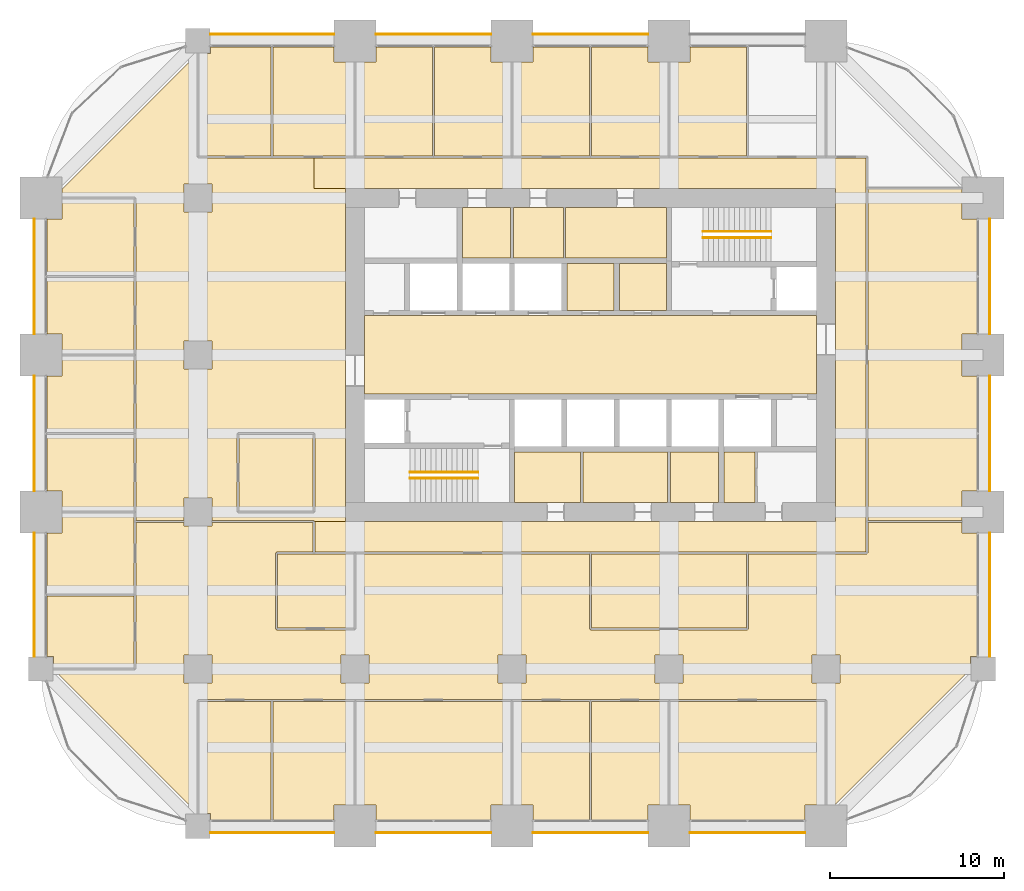
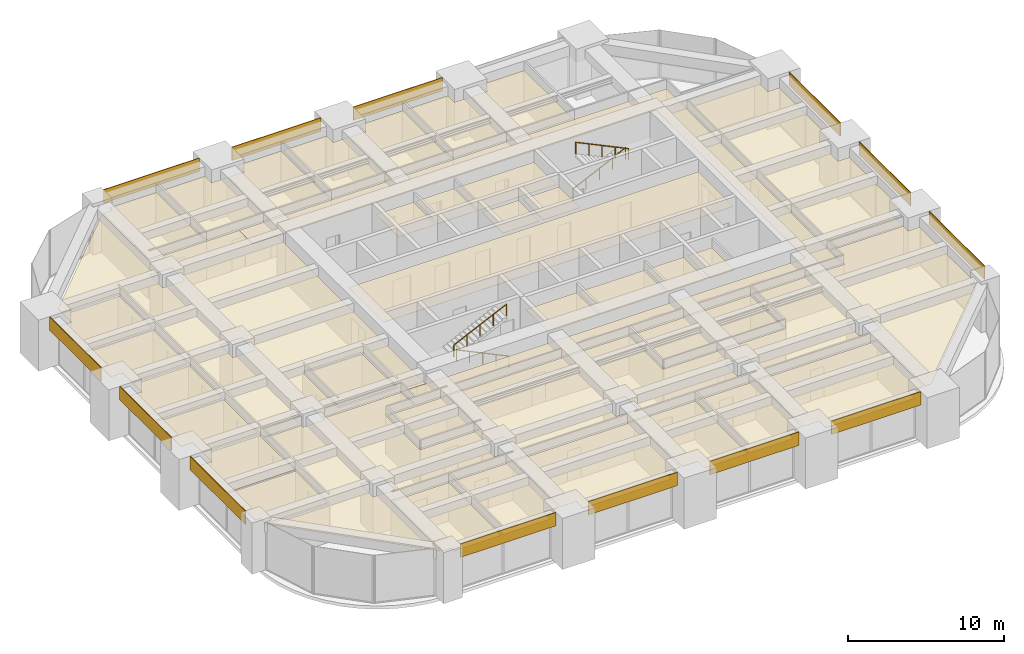
# One storey, part 33 of 34: 49 coverings, 4 railings.
"""IFC4 building model written with IfcOpenShell, lengths in metres."""

from ifc_helpers import new_model, si_unit, direction, frame, frame_2d, origin, origin_2d, place, context, subcontext, project, spatial, polyline, rectangle, circle, outline, extrude, material, layer, layer_set, type_object, element, save


model = new_model("IFC4")

# Units and contexts
model_context = context("Model", 3, precision=1e-05, world=origin(), true_north=direction((0.0, 1.0)))
body_context = subcontext(model_context, "Body", "Model", "MODEL_VIEW")
ifc_project = project(units=[si_unit("LENGTHUNIT", "METRE"), si_unit("AREAUNIT", "SQUARE_METRE"), si_unit("VOLUMEUNIT", "CUBIC_METRE"), si_unit("PLANEANGLEUNIT", "RADIAN"), si_unit("MASSUNIT", "GRAM", prefix="KILO")], contexts=[model_context])

# Site, building, storey
site_placement = place(None, origin())
site = spatial("IfcSite", under=ifc_project, at=site_placement, CompositionType="ELEMENT")
building_placement = place(site_placement, origin())
building = spatial("IfcBuilding", under=site, at=building_placement, Name="Zorevar Civic Tower", CompositionType="ELEMENT")
storey_placement = place(building_placement, frame((0.0, 0.0, 170.199951171875)))
storey = spatial("IfcBuildingStorey", under=building, at=storey_placement, Name="L41", CompositionType="ELEMENT", Elevation=170.199951171875)

# Railings
ifc_material_1 = material(Name="Black steel handrail", Category="steel")
railing_type = type_object("IfcRailingType", Name="Handrail HR1 900", PredefinedType="HANDRAIL", material=ifc_material_1)
railing_1_placement = place(storey_placement, frame((25.050048828125, 19.925048828125, 0.142822265625)))
element("IfcRailing", 1, at=railing_1_placement, inside=storey, type_object=railing_type, Name="Handrail HR1 ST1 L41", PredefinedType="HANDRAIL", context=body_context, shape_type="SweptSolid", body=[
    extrude(circle(Radius=0.02392578125, at=origin_2d()), frame((0.0, 0.0, 0.8759765625), z_axis=(-0.902863652845, 0.0, 0.429926998885), x_axis=(0.0, -1.0, 0.0)), (0.0, 0.0, 1.0), 4.31982421875),
    extrude(circle(Radius=0.02099609375, at=origin_2d()), origin(), (0.0, 0.0, 1.0), 0.851806640625),
    extrude(circle(Radius=0.02099609375, at=origin_2d()), frame((-0.97509765625, 0.0, 0.46435546875)), (0.0, 0.0, 1.0), 0.851806640625),
    extrude(circle(Radius=0.02099609375, at=origin_2d()), frame((-1.9501953125, 0.0, 0.9287109375)), (0.0, 0.0, 1.0), 0.851806640625),
    extrude(circle(Radius=0.02099609375, at=origin_2d()), frame((-2.925048828125, 0.0, 1.392822265625)), (0.0, 0.0, 1.0), 0.851806640625),
    extrude(circle(Radius=0.02099609375, at=origin_2d()), frame((-3.900146484375, 0.0, 1.857177734375)), (0.0, 0.0, 1.0), 0.851806640625),
])
for number, where, name in (
    (2, (21.14990234375, 20.27490234375, 2.142822265625), "Handrail HR1 ST1 L41"),
    (3, (37.949951171875, 34.074951171875, 0.142822265625), "Handrail HR1 ST2 L41"),
):
    element("IfcRailing", number, at=place(storey_placement, frame(where)), inside=storey, type_object=railing_type, Name=name, PredefinedType="HANDRAIL", context=body_context, shape_type="SweptSolid", body=[
        extrude(circle(Radius=0.02392578125, at=origin_2d()), frame((0.0, 0.0, 0.8759765625), z_axis=(0.902863652845, 0.0, 0.429926998885), x_axis=(0.0, 1.0, 0.0)), (0.0, 0.0, 1.0), 4.31982421875),
        extrude(circle(Radius=0.02099609375, at=origin_2d()), origin(), (0.0, 0.0, 1.0), 0.851806640625),
        extrude(circle(Radius=0.02099609375, at=origin_2d()), frame((0.97509765625, 0.0, 0.46435546875)), (0.0, 0.0, 1.0), 0.851806640625),
        extrude(circle(Radius=0.02099609375, at=origin_2d()), frame((1.9501953125, 0.0, 0.9287109375)), (0.0, 0.0, 1.0), 0.851806640625),
        extrude(circle(Radius=0.02099609375, at=origin_2d()), frame((2.925048828125, 0.0, 1.392822265625)), (0.0, 0.0, 1.0), 0.851806640625),
        extrude(circle(Radius=0.02099609375, at=origin_2d()), frame((3.900146484375, 0.0, 1.857177734375)), (0.0, 0.0, 1.0), 0.851806640625),
    ])
railing_2_placement = place(storey_placement, frame((41.85009765625, 33.72509765625, 2.142822265625)))
element("IfcRailing", 4, at=railing_2_placement, inside=storey, type_object=railing_type, Name="Handrail HR1 ST2 L41", PredefinedType="HANDRAIL", context=body_context, shape_type="SweptSolid", body=[
    extrude(circle(Radius=0.02392578125, at=origin_2d()), frame((0.0, 0.0, 0.8759765625), z_axis=(-0.902863652845, 0.0, 0.429926998885), x_axis=(0.0, -1.0, 0.0)), (0.0, 0.0, 1.0), 4.31982421875),
    extrude(circle(Radius=0.02099609375, at=origin_2d()), origin(), (0.0, 0.0, 1.0), 0.851806640625),
    extrude(circle(Radius=0.02099609375, at=origin_2d()), frame((-0.97509765625, 0.0, 0.46435546875)), (0.0, 0.0, 1.0), 0.851806640625),
    extrude(circle(Radius=0.02099609375, at=origin_2d()), frame((-1.9501953125, 0.0, 0.9287109375)), (0.0, 0.0, 1.0), 0.851806640625),
    extrude(circle(Radius=0.02099609375, at=origin_2d()), frame((-2.925048828125, 0.0, 1.392822265625)), (0.0, 0.0, 1.0), 0.851806640625),
    extrude(circle(Radius=0.02099609375, at=origin_2d()), frame((-3.900146484375, 0.0, 1.857177734375)), (0.0, 0.0, 1.0), 0.851806640625),
])

# Coverings
ifc_material_2 = material(Name="Moisture-resistant gypsum board")
ifc_layer_1 = layer(ifc_material_2, 0.012451171875)
ifc_layer_set_1 = layer_set([ifc_layer_1], Name="Moisture-resistant ceiling SC3")
covering_type_1 = type_object("IfcCoveringType", Name="Moisture-resistant ceiling SC3", PredefinedType="CEILING", material=ifc_layer_set_1)
covering_1_placement = place(storey_placement, frame((0.0, 0.0, 3.0)))
element("IfcCovering", 5, at=covering_1_placement, inside=storey, type_object=covering_type_1, Name="Ceiling L41-05", PredefinedType="CEILING", context=body_context, shape_type="SweptSolid", body=[
    extrude(outline(polyline([(30.925048828125, 18.550048828125), (30.925048828125, 21.449951171875), (27.14990234375, 21.449951171875), (27.14990234375, 18.550048828125), (30.925048828125, 18.550048828125)])), origin(), (0.0, 0.0, 1.0), 0.012451171875),
])
covering_2_placement = place(storey_placement, frame((0.0, 0.0, 3.0)))
element("IfcCovering", 6, at=covering_2_placement, inside=storey, type_object=covering_type_1, Name="Ceiling L41-06", PredefinedType="CEILING", context=body_context, shape_type="SweptSolid", body=[
    extrude(outline(polyline([(35.925048828125, 18.550048828125), (35.925048828125, 21.449951171875), (31.074951171875, 21.449951171875), (31.074951171875, 18.550048828125), (35.925048828125, 18.550048828125)])), origin(), (0.0, 0.0, 1.0), 0.012451171875),
])
covering_3_placement = place(storey_placement, frame((0.0, 0.0, 3.0)))
element("IfcCovering", 7, at=covering_3_placement, inside=storey, type_object=covering_type_1, Name="Ceiling L41-07", PredefinedType="CEILING", context=body_context, shape_type="SweptSolid", body=[
    extrude(outline(polyline([(38.85009765625, 18.550048828125), (38.85009765625, 21.449951171875), (36.074951171875, 21.449951171875), (36.074951171875, 18.550048828125), (38.85009765625, 18.550048828125)])), origin(), (0.0, 0.0, 1.0), 0.012451171875),
])
covering_4_placement = place(storey_placement, frame((0.0, 0.0, 3.0)))
element("IfcCovering", 8, at=covering_4_placement, inside=storey, type_object=covering_type_1, Name="Ceiling L41-10", PredefinedType="CEILING", context=body_context, shape_type="SweptSolid", body=[
    extrude(outline(polyline([(26.925048828125, 32.550048828125), (26.925048828125, 35.449951171875), (24.14990234375, 35.449951171875), (24.14990234375, 32.550048828125), (26.925048828125, 32.550048828125)])), origin(), (0.0, 0.0, 1.0), 0.012451171875),
])
ifc_material_3 = material(Name="Black anodised aluminium spandrel panel", Category="aluminium")
ifc_layer_2 = layer(ifc_material_3, 0.050048828125)
ifc_layer_set_2 = layer_set([ifc_layer_2], Name="Spandrel cladding SP1")
covering_type_2 = type_object("IfcCoveringType", Name="Spandrel cladding SP1", PredefinedType="CLADDING", material=ifc_layer_set_2)
covering_5_placement = place(storey_placement, frame((9.699951171875, -0.375, 2.949951171875), z_axis=(0.0, 0.0, 1.0), x_axis=(1.0, 0.0, 0.0)))
element("IfcCovering", 9, at=covering_5_placement, inside=storey, type_object=covering_type_2, Name="Spandrel cladding L42", PredefinedType="CLADDING", context=body_context, shape_type="SweptSolid", body=[
    extrude(rectangle(XDim=7.10009765625, YDim=0.050048828125, at=frame_2d((3.550048828125, 0.0))), origin(), (0.0, 0.0, 1.0), 1.050048828125),
])
for number, where, z_axis, x_axis, name in (
    (10, (19.199951171875, -0.375, 2.949951171875), (0.0, 0.0, 1.0), (1.0, 0.0, 0.0), "Spandrel cladding L42"),
    (11, (28.199951171875, -0.375, 2.949951171875), (0.0, 0.0, 1.0), (1.0, 0.0, 0.0), "Spandrel cladding L42"),
    (12, (37.199951171875, -0.375, 2.949951171875), (0.0, 0.0, 1.0), (1.0, 0.0, 0.0), "Spandrel cladding L42"),
):
    element("IfcCovering", number, at=place(storey_placement, frame(where, z_axis=z_axis, x_axis=x_axis)), inside=storey, type_object=covering_type_2, Name=name, PredefinedType="CLADDING", context=body_context, shape_type="SweptSolid", body=[
        extrude(rectangle(XDim=6.60009765625, YDim=0.050048828125, at=frame_2d((3.300048828125, 0.0))), origin(), (0.0, 0.0, 1.0), 1.050048828125),
    ])
covering_6_placement = place(storey_placement, frame((9.699951171875, 45.375, 2.949951171875), z_axis=(0.0, 0.0, 1.0), x_axis=(1.0, 0.0, 0.0)))
element("IfcCovering", 13, at=covering_6_placement, inside=storey, type_object=covering_type_2, Name="Spandrel cladding L42", PredefinedType="CLADDING", context=body_context, shape_type="SweptSolid", body=[
    extrude(rectangle(XDim=7.10009765625, YDim=0.050048828125, at=frame_2d((3.550048828125, 0.0))), origin(), (0.0, 0.0, 1.0), 1.050048828125),
])
for number, where, z_axis, x_axis, name in (
    (14, (19.199951171875, 45.375, 2.949951171875), (0.0, 0.0, 1.0), (1.0, 0.0, 0.0), "Spandrel cladding L42"),
    (15, (28.199951171875, 45.375, 2.949951171875), (0.0, 0.0, 1.0), (1.0, 0.0, 0.0), "Spandrel cladding L42"),
):
    element("IfcCovering", number, at=place(storey_placement, frame(where, z_axis=z_axis, x_axis=x_axis)), inside=storey, type_object=covering_type_2, Name=name, PredefinedType="CLADDING", context=body_context, shape_type="SweptSolid", body=[
        extrude(rectangle(XDim=6.60009765625, YDim=0.050048828125, at=frame_2d((3.300048828125, 0.0))), origin(), (0.0, 0.0, 1.0), 1.050048828125),
    ])
covering_7_placement = place(storey_placement, frame((-0.375, 9.699951171875, 2.949951171875), z_axis=(0.0, 0.0, 1.0), x_axis=(0.0, 1.0, 0.0)))
element("IfcCovering", 16, at=covering_7_placement, inside=storey, type_object=covering_type_2, Name="Spandrel cladding L42", PredefinedType="CLADDING", context=body_context, shape_type="SweptSolid", body=[
    extrude(rectangle(XDim=7.10009765625, YDim=0.050048828125, at=frame_2d((3.550048828125, 0.0))), origin(), (0.0, 0.0, 1.0), 1.050048828125),
])
for number, where, z_axis, x_axis, name in (
    (17, (-0.375, 19.199951171875, 2.949951171875), (0.0, 0.0, 1.0), (0.0, 1.0, 0.0), "Spandrel cladding L42"),
    (18, (-0.375, 28.199951171875, 2.949951171875), (0.0, 0.0, 1.0), (0.0, 1.0, 0.0), "Spandrel cladding L42"),
):
    element("IfcCovering", number, at=place(storey_placement, frame(where, z_axis=z_axis, x_axis=x_axis)), inside=storey, type_object=covering_type_2, Name=name, PredefinedType="CLADDING", context=body_context, shape_type="SweptSolid", body=[
        extrude(rectangle(XDim=6.60009765625, YDim=0.050048828125, at=frame_2d((3.300048828125, 0.0))), origin(), (0.0, 0.0, 1.0), 1.050048828125),
    ])
covering_8_placement = place(storey_placement, frame((54.375, 9.699951171875, 2.949951171875), z_axis=(0.0, 0.0, 1.0), x_axis=(0.0, 1.0, 0.0)))
element("IfcCovering", 19, at=covering_8_placement, inside=storey, type_object=covering_type_2, Name="Spandrel cladding L42", PredefinedType="CLADDING", context=body_context, shape_type="SweptSolid", body=[
    extrude(rectangle(XDim=7.10009765625, YDim=0.050048828125, at=frame_2d((3.550048828125, 0.0))), origin(), (0.0, 0.0, 1.0), 1.050048828125),
])
for number, where, z_axis, x_axis, name in (
    (20, (54.375, 19.199951171875, 2.949951171875), (0.0, 0.0, 1.0), (0.0, 1.0, 0.0), "Spandrel cladding L42"),
    (21, (54.375, 28.199951171875, 2.949951171875), (0.0, 0.0, 1.0), (0.0, 1.0, 0.0), "Spandrel cladding L42"),
):
    element("IfcCovering", number, at=place(storey_placement, frame(where, z_axis=z_axis, x_axis=x_axis)), inside=storey, type_object=covering_type_2, Name=name, PredefinedType="CLADDING", context=body_context, shape_type="SweptSolid", body=[
        extrude(rectangle(XDim=6.60009765625, YDim=0.050048828125, at=frame_2d((3.300048828125, 0.0))), origin(), (0.0, 0.0, 1.0), 1.050048828125),
    ])
ifc_material_4 = material(Name="Mineral fibre tiles on a concealed grid")
ifc_layer_3 = layer(ifc_material_4, 0.02001953125)
ifc_layer_set_3 = layer_set([ifc_layer_3], Name="Suspended ceiling SC1")
covering_type_3 = type_object("IfcCoveringType", Name="Suspended ceiling SC1", PredefinedType="CEILING", material=ifc_layer_set_3)
covering_9_placement = place(storey_placement, frame((0.0, 0.0, 3.0)))
element("IfcCovering", 22, at=covering_9_placement, inside=storey, type_object=covering_type_3, Name="Ceiling L41-08", PredefinedType="CEILING", context=body_context, shape_type="SweptSolid", body=[
    extrude(outline(polyline([(35.85009765625, 32.550048828125), (35.85009765625, 35.449951171875), (30.06005859375, 35.449951171875), (30.06005859375, 32.550048828125), (35.85009765625, 32.550048828125)])), origin(), (0.0, 0.0, 1.0), 0.02001953125),
])
covering_10_placement = place(storey_placement, frame((0.0, 0.0, 3.0)))
element("IfcCovering", 23, at=covering_10_placement, inside=storey, type_object=covering_type_3, Name="Ceiling L41-09", PredefinedType="CEILING", context=body_context, shape_type="SweptSolid", body=[
    extrude(outline(polyline([(29.93994140625, 32.550048828125), (29.93994140625, 35.449951171875), (27.074951171875, 35.449951171875), (27.074951171875, 32.550048828125), (29.93994140625, 32.550048828125)])), origin(), (0.0, 0.0, 1.0), 0.02001953125),
])
covering_11_placement = place(storey_placement, frame((0.0, 0.0, 3.0)))
element("IfcCovering", 24, at=covering_11_placement, inside=storey, type_object=covering_type_3, Name="Ceiling L41-11", PredefinedType="CEILING", context=body_context, shape_type="SweptSolid", body=[
    extrude(outline(polyline([(40.93994140625, 18.550048828125), (40.93994140625, 21.449951171875), (39.14990234375, 21.449951171875), (39.14990234375, 18.550048828125), (40.93994140625, 18.550048828125)])), origin(), (0.0, 0.0, 1.0), 0.02001953125),
])
covering_12_placement = place(storey_placement, frame((0.0, 0.0, 3.0)))
element("IfcCovering", 25, at=covering_12_placement, inside=storey, type_object=covering_type_3, Name="Ceiling L41-16", PredefinedType="CEILING", context=body_context, shape_type="SweptSolid", body=[
    extrude(outline(polyline([(44.449951171875, 24.75), (44.449951171875, 29.25), (18.550048828125, 29.25), (18.550048828125, 24.75), (44.449951171875, 24.75)])), origin(), (0.0, 0.0, 1.0), 0.02001953125),
])
covering_13_placement = place(storey_placement, frame((0.0, 0.0, 3.0)))
element("IfcCovering", 26, at=covering_13_placement, inside=storey, type_object=covering_type_3, Name="Ceiling L41-17", PredefinedType="CEILING", context=body_context, shape_type="SweptSolid", body=[
    extrude(outline(polyline([(35.85009765625, 29.550048828125), (35.85009765625, 32.25), (33.14990234375, 32.25), (33.14990234375, 29.550048828125), (35.85009765625, 29.550048828125)])), origin(), (0.0, 0.0, 1.0), 0.02001953125),
])
covering_14_placement = place(storey_placement, frame((0.0, 0.0, 3.0)))
element("IfcCovering", 27, at=covering_14_placement, inside=storey, type_object=covering_type_3, Name="Ceiling L41-18", PredefinedType="CEILING", context=body_context, shape_type="SweptSolid", body=[
    extrude(outline(polyline([(32.85009765625, 29.550048828125), (32.85009765625, 32.25), (30.14990234375, 32.25), (30.14990234375, 29.550048828125), (32.85009765625, 29.550048828125)])), origin(), (0.0, 0.0, 1.0), 0.02001953125),
])
covering_15_placement = place(storey_placement, frame((0.0, 0.0, 3.0)))
element("IfcCovering", 28, at=covering_15_placement, inside=storey, type_object=covering_type_3, Name="Ceiling L41-19", PredefinedType="CEILING", context=body_context, shape_type="SweptSolid", body=[
    extrude(outline(polyline([(13.18994140625, 7.139892578125), (13.18994140625, 0.35009765625), (9.7099609375, 0.35009765625), (9.7099609375, 0.7099609375), (9.06005859375, 0.7099609375), (9.06005859375, 7.139892578125), (13.18994140625, 7.139892578125)])), origin(), (0.0, 0.0, 1.0), 0.02001953125),
])
covering_16_placement = place(storey_placement, frame((0.0, 0.0, 3.0)))
element("IfcCovering", 29, at=covering_16_placement, inside=storey, type_object=covering_type_3, Name="Ceiling L41-20", PredefinedType="CEILING", context=body_context, shape_type="SweptSolid", body=[
    extrude(outline(polyline([(17.93994140625, 7.139892578125), (17.93994140625, 1.2099609375), (16.7900390625, 1.2099609375), (16.7900390625, 0.35009765625), (13.31005859375, 0.35009765625), (13.31005859375, 7.139892578125), (17.93994140625, 7.139892578125)])), origin(), (0.0, 0.0, 1.0), 0.02001953125),
])
covering_17_placement = place(storey_placement, frame((0.0, 0.0, 3.0)))
element("IfcCovering", 30, at=covering_17_placement, inside=storey, type_object=covering_type_3, Name="Ceiling L41-21", PredefinedType="CEILING", context=body_context, shape_type="SweptSolid", body=[
    extrude(outline(polyline([(19.2099609375, 0.35009765625), (19.2099609375, 1.2099609375), (18.06005859375, 1.2099609375), (18.06005859375, 7.139892578125), (26.93994140625, 7.139892578125), (26.93994140625, 1.2099609375), (25.7900390625, 1.2099609375), (25.7900390625, 0.35009765625), (19.2099609375, 0.35009765625)])), origin(), (0.0, 0.0, 1.0), 0.02001953125),
])
covering_18_placement = place(storey_placement, frame((0.0, 0.0, 3.0)))
element("IfcCovering", 31, at=covering_18_placement, inside=storey, type_object=covering_type_3, Name="Ceiling L41-22", PredefinedType="CEILING", context=body_context, shape_type="SweptSolid", body=[
    extrude(outline(polyline([(31.43994140625, 7.139892578125), (31.43994140625, 0.35009765625), (28.2099609375, 0.35009765625), (28.2099609375, 1.2099609375), (27.06005859375, 1.2099609375), (27.06005859375, 7.139892578125), (31.43994140625, 7.139892578125)])), origin(), (0.0, 0.0, 1.0), 0.02001953125),
])
covering_19_placement = place(storey_placement, frame((0.0, 0.0, 3.0)))
element("IfcCovering", 32, at=covering_19_placement, inside=storey, type_object=covering_type_3, Name="Ceiling L41-23", PredefinedType="CEILING", context=body_context, shape_type="SweptSolid", body=[
    extrude(outline(polyline([(35.93994140625, 7.139892578125), (35.93994140625, 1.2099609375), (34.7900390625, 1.2099609375), (34.7900390625, 0.35009765625), (31.56005859375, 0.35009765625), (31.56005859375, 7.139892578125), (35.93994140625, 7.139892578125)])), origin(), (0.0, 0.0, 1.0), 0.02001953125),
])
covering_20_placement = place(storey_placement, frame((0.0, 0.0, 3.0)))
element("IfcCovering", 33, at=covering_20_placement, inside=storey, type_object=covering_type_3, Name="Ceiling L41-24", PredefinedType="CEILING", context=body_context, shape_type="SweptSolid", body=[
    extrude(outline(polyline([(37.2099609375, 0.35009765625), (37.2099609375, 1.2099609375), (36.06005859375, 1.2099609375), (36.06005859375, 7.139892578125), (44.93994140625, 7.139892578125), (44.93994140625, 1.2099609375), (43.7900390625, 1.2099609375), (43.7900390625, 0.35009765625), (37.2099609375, 0.35009765625)])), origin(), (0.0, 0.0, 1.0), 0.02001953125),
])
covering_21_placement = place(storey_placement, frame((0.0, 0.0, 3.0)))
element("IfcCovering", 34, at=covering_21_placement, inside=storey, type_object=covering_type_3, Name="Ceiling L41-25", PredefinedType="CEILING", context=body_context, shape_type="SweptSolid", body=[
    extrude(outline(polyline([(9.06005859375, 38.409912109375), (9.06005859375, 44.2900390625), (9.7099609375, 44.2900390625), (9.7099609375, 44.64990234375), (13.18994140625, 44.64990234375), (13.18994140625, 38.409912109375), (9.06005859375, 38.409912109375)])), origin(), (0.0, 0.0, 1.0), 0.02001953125),
])
covering_22_placement = place(storey_placement, frame((0.0, 0.0, 3.0)))
element("IfcCovering", 35, at=covering_22_placement, inside=storey, type_object=covering_type_3, Name="Ceiling L41-26", PredefinedType="CEILING", context=body_context, shape_type="SweptSolid", body=[
    extrude(outline(polyline([(13.31005859375, 38.409912109375), (13.31005859375, 44.64990234375), (16.7900390625, 44.64990234375), (16.7900390625, 43.7900390625), (17.93994140625, 43.7900390625), (17.93994140625, 38.409912109375), (13.31005859375, 38.409912109375)])), origin(), (0.0, 0.0, 1.0), 0.02001953125),
])
covering_23_placement = place(storey_placement, frame((0.0, 0.0, 3.0)))
element("IfcCovering", 36, at=covering_23_placement, inside=storey, type_object=covering_type_3, Name="Ceiling L41-27", PredefinedType="CEILING", context=body_context, shape_type="SweptSolid", body=[
    extrude(outline(polyline([(18.06005859375, 38.409912109375), (18.06005859375, 43.7900390625), (19.2099609375, 43.7900390625), (19.2099609375, 44.64990234375), (22.43994140625, 44.64990234375), (22.43994140625, 38.409912109375), (18.06005859375, 38.409912109375)])), origin(), (0.0, 0.0, 1.0), 0.02001953125),
])
covering_24_placement = place(storey_placement, frame((0.0, 0.0, 3.0)))
element("IfcCovering", 37, at=covering_24_placement, inside=storey, type_object=covering_type_3, Name="Ceiling L41-28", PredefinedType="CEILING", context=body_context, shape_type="SweptSolid", body=[
    extrude(outline(polyline([(22.56005859375, 38.409912109375), (22.56005859375, 44.64990234375), (25.7900390625, 44.64990234375), (25.7900390625, 43.7900390625), (26.93994140625, 43.7900390625), (26.93994140625, 38.409912109375), (22.56005859375, 38.409912109375)])), origin(), (0.0, 0.0, 1.0), 0.02001953125),
])
covering_25_placement = place(storey_placement, frame((0.0, 0.0, 3.0)))
element("IfcCovering", 38, at=covering_25_placement, inside=storey, type_object=covering_type_3, Name="Ceiling L41-29", PredefinedType="CEILING", context=body_context, shape_type="SweptSolid", body=[
    extrude(outline(polyline([(27.06005859375, 38.409912109375), (27.06005859375, 43.7900390625), (28.2099609375, 43.7900390625), (28.2099609375, 44.64990234375), (31.43994140625, 44.64990234375), (31.43994140625, 38.409912109375), (27.06005859375, 38.409912109375)])), origin(), (0.0, 0.0, 1.0), 0.02001953125),
])
covering_26_placement = place(storey_placement, frame((0.0, 0.0, 3.0)))
element("IfcCovering", 39, at=covering_26_placement, inside=storey, type_object=covering_type_3, Name="Ceiling L41-30", PredefinedType="CEILING", context=body_context, shape_type="SweptSolid", body=[
    extrude(outline(polyline([(31.56005859375, 38.409912109375), (31.56005859375, 44.64990234375), (34.7900390625, 44.64990234375), (34.7900390625, 43.7900390625), (35.93994140625, 43.7900390625), (35.93994140625, 38.409912109375), (31.56005859375, 38.409912109375)])), origin(), (0.0, 0.0, 1.0), 0.02001953125),
])
covering_27_placement = place(storey_placement, frame((0.0, 0.0, 3.0)))
element("IfcCovering", 40, at=covering_27_placement, inside=storey, type_object=covering_type_3, Name="Ceiling L41-31", PredefinedType="CEILING", context=body_context, shape_type="SweptSolid", body=[
    extrude(outline(polyline([(36.06005859375, 38.409912109375), (36.06005859375, 43.7900390625), (37.2099609375, 43.7900390625), (37.2099609375, 44.64990234375), (40.43994140625, 44.64990234375), (40.43994140625, 38.409912109375), (36.06005859375, 38.409912109375)])), origin(), (0.0, 0.0, 1.0), 0.02001953125),
])
covering_28_placement = place(storey_placement, frame((0.0, 0.0, 3.0)))
element("IfcCovering", 41, at=covering_28_placement, inside=storey, type_object=covering_type_3, Name="Ceiling L41-33", PredefinedType="CEILING", context=body_context, shape_type="SweptSolid", body=[
    extrude(outline(polyline([(5.340087890625, 9.06005859375), (0.7099609375, 9.06005859375), (0.7099609375, 9.7099609375), (0.35009765625, 9.7099609375), (0.35009765625, 13.18994140625), (5.340087890625, 13.18994140625), (5.340087890625, 9.06005859375)])), origin(), (0.0, 0.0, 1.0), 0.02001953125),
])
covering_29_placement = place(storey_placement, frame((0.0, 0.0, 3.0)))
element("IfcCovering", 42, at=covering_29_placement, inside=storey, type_object=covering_type_3, Name="Ceiling L41-34", PredefinedType="CEILING", context=body_context, shape_type="SweptSolid", body=[
    extrude(outline(polyline([(5.340087890625, 13.31005859375), (0.35009765625, 13.31005859375), (0.35009765625, 16.7900390625), (1.2099609375, 16.7900390625), (1.2099609375, 17.93994140625), (5.340087890625, 17.93994140625), (5.340087890625, 13.31005859375)])), origin(), (0.0, 0.0, 1.0), 0.02001953125),
])
covering_30_placement = place(storey_placement, frame((0.0, 0.0, 3.0)))
element("IfcCovering", 43, at=covering_30_placement, inside=storey, type_object=covering_type_3, Name="Ceiling L41-35", PredefinedType="CEILING", context=body_context, shape_type="SweptSolid", body=[
    extrude(outline(polyline([(5.340087890625, 18.06005859375), (1.2099609375, 18.06005859375), (1.2099609375, 19.2099609375), (0.35009765625, 19.2099609375), (0.35009765625, 22.43994140625), (5.340087890625, 22.43994140625), (5.340087890625, 18.06005859375)])), origin(), (0.0, 0.0, 1.0), 0.02001953125),
])
covering_31_placement = place(storey_placement, frame((0.0, 0.0, 3.0)))
element("IfcCovering", 44, at=covering_31_placement, inside=storey, type_object=covering_type_3, Name="Ceiling L41-36", PredefinedType="CEILING", context=body_context, shape_type="SweptSolid", body=[
    extrude(outline(polyline([(5.340087890625, 22.56005859375), (0.35009765625, 22.56005859375), (0.35009765625, 25.7900390625), (1.2099609375, 25.7900390625), (1.2099609375, 26.93994140625), (5.340087890625, 26.93994140625), (5.340087890625, 22.56005859375)])), origin(), (0.0, 0.0, 1.0), 0.02001953125),
])
covering_32_placement = place(storey_placement, frame((0.0, 0.0, 3.0)))
element("IfcCovering", 45, at=covering_32_placement, inside=storey, type_object=covering_type_3, Name="Ceiling L41-37", PredefinedType="CEILING", context=body_context, shape_type="SweptSolid", body=[
    extrude(outline(polyline([(5.340087890625, 27.06005859375), (1.2099609375, 27.06005859375), (1.2099609375, 28.2099609375), (0.35009765625, 28.2099609375), (0.35009765625, 31.43994140625), (5.340087890625, 31.43994140625), (5.340087890625, 27.06005859375)])), origin(), (0.0, 0.0, 1.0), 0.02001953125),
])
covering_33_placement = place(storey_placement, frame((0.0, 0.0, 3.0)))
element("IfcCovering", 46, at=covering_33_placement, inside=storey, type_object=covering_type_3, Name="Ceiling L41-38", PredefinedType="CEILING", context=body_context, shape_type="SweptSolid", body=[
    extrude(outline(polyline([(5.340087890625, 31.56005859375), (0.35009765625, 31.56005859375), (0.35009765625, 34.7900390625), (1.2099609375, 34.7900390625), (1.2099609375, 35.93994140625), (5.340087890625, 35.93994140625), (5.340087890625, 31.56005859375)])), origin(), (0.0, 0.0, 1.0), 0.02001953125),
])
covering_34_placement = place(storey_placement, frame((0.0, 0.0, 3.0)))
element("IfcCovering", 47, at=covering_34_placement, inside=storey, type_object=covering_type_3, Name="Ceiling L41-39", PredefinedType="CEILING", context=body_context, shape_type="SweptSolid", body=[
    extrude(outline(polyline([(40.43994140625, 15.590087890625), (40.43994140625, 11.35009765625), (31.56005859375, 11.35009765625), (31.56005859375, 15.590087890625), (40.43994140625, 15.590087890625)])), origin(), (0.0, 0.0, 1.0), 0.02001953125),
])
covering_35_placement = place(storey_placement, frame((0.0, 0.0, 3.0)))
element("IfcCovering", 48, at=covering_35_placement, inside=storey, type_object=covering_type_3, Name="Ceiling L41-40", PredefinedType="CEILING", context=body_context, shape_type="SweptSolid", body=[
    extrude(outline(polyline([(11.360107421875, 22.43994140625), (15.590087890625, 22.43994140625), (15.590087890625, 18.06005859375), (11.360107421875, 18.06005859375), (11.360107421875, 22.43994140625)])), origin(), (0.0, 0.0, 1.0), 0.02001953125),
])
covering_36_placement = place(storey_placement, frame((0.0, 0.0, 3.0)))
element("IfcCovering", 49, at=covering_36_placement, inside=storey, type_object=covering_type_3, Name="Ceiling L41-41", PredefinedType="CEILING", context=body_context, shape_type="SweptSolid", body=[
    extrude(outline(polyline([(13.56005859375, 15.590087890625), (17.93994140625, 15.590087890625), (17.93994140625, 11.360107421875), (13.56005859375, 11.360107421875), (13.56005859375, 15.590087890625)])), origin(), (0.0, 0.0, 1.0), 0.02001953125),
])
covering_37_placement = place(storey_placement, frame((0.0, 0.0, 3.0)))
element("IfcCovering", 50, at=covering_37_placement, inside=storey, type_object=covering_type_3, Name="Ceiling L41-42", PredefinedType="CEILING", context=body_context, shape_type="SweptSolid", body=[
    extrude(outline(polyline([(15.64990234375, 38.2900390625), (45.0, 38.2900390625), (45.0, 38.300048828125), (47.300048828125, 38.300048828125), (47.300048828125, 15.699951171875), (40.5, 15.699951171875), (40.5, 15.7099609375), (31.5, 15.7099609375), (31.5, 15.699951171875), (18.0, 15.699951171875), (18.0, 15.7099609375), (15.699951171875, 15.7099609375), (15.699951171875, 17.449951171875), (45.550048828125, 17.449951171875), (45.550048828125, 36.550048828125), (15.64990234375, 36.550048828125), (15.64990234375, 38.2900390625)])), origin(), (0.0, 0.0, 1.0), 0.02001953125),
])
covering_38_placement = place(storey_placement, frame((0.0, 0.0, 3.0)))
element("IfcCovering", 51, at=covering_38_placement, inside=storey, type_object=covering_type_3, Name="Ceiling L41-43", PredefinedType="CEILING", context=body_context, shape_type="SweptSolid", body=[
    extrude(outline(polyline([(53.64990234375, 28.2099609375), (52.7900390625, 28.2099609375), (52.7900390625, 25.7900390625), (53.64990234375, 25.7900390625), (53.64990234375, 19.2099609375), (52.7900390625, 19.2099609375), (52.7900390625, 17.5), (47.39990234375, 17.5), (47.39990234375, 36.5), (52.7900390625, 36.5), (52.7900390625, 34.7900390625), (53.64990234375, 34.7900390625), (53.64990234375, 28.2099609375)])), origin(), (0.0, 0.0, 1.0), 0.02001953125),
])
covering_39_placement = place(storey_placement, frame((0.0, 0.0, 3.0)))
element("IfcCovering", 52, at=covering_39_placement, inside=storey, type_object=covering_type_3, Name="Ceiling L41-45", PredefinedType="CEILING", context=body_context, shape_type="SweptSolid", body=[
    extrude(outline(polyline([(13.43994140625, 15.64990234375), (13.43994140625, 11.300048828125), (13.5, 11.300048828125), (13.5, 11.239990234375), (18.0, 11.239990234375), (18.0, 11.300048828125), (18.06005859375, 11.300048828125), (18.06005859375, 15.60009765625), (31.43994140625, 15.60009765625), (31.43994140625, 11.300048828125), (31.5, 11.300048828125), (31.5, 11.25), (40.5, 11.25), (40.5, 11.300048828125), (40.56005859375, 11.300048828125), (40.56005859375, 15.60009765625), (47.35009765625, 15.60009765625), (47.35009765625, 15.64990234375), (47.39990234375, 15.64990234375), (47.39990234375, 17.39990234375), (52.7900390625, 17.39990234375), (52.7900390625, 16.7900390625), (53.64990234375, 16.7900390625), (53.64990234375, 9.7099609375), (53.2900390625, 9.7099609375), (53.2900390625, 8.9970703125), (45.5029296875, 1.2099609375), (45.06005859375, 1.2099609375), (45.06005859375, 7.199951171875), (45.0, 7.199951171875), (45.0, 7.260009765625), (9.0, 7.260009765625), (9.0, 7.199951171875), (8.93994140625, 7.199951171875), (8.93994140625, 0.76708984375), (0.76708984375, 8.93994140625), (5.39990234375, 8.93994140625), (5.39990234375, 9.0), (5.4599609375, 9.0), (5.4599609375, 17.39990234375), (8.18994140625, 17.39990234375), (8.18994140625, 17.18994140625), (9.81005859375, 17.18994140625), (9.81005859375, 17.39990234375), (15.60009765625, 17.39990234375), (15.60009765625, 15.7099609375), (13.5, 15.7099609375), (13.5, 15.64990234375), (13.43994140625, 15.64990234375)]), holes=[polyline([(8.18994140625, 8.18994140625), (9.81005859375, 8.18994140625), (9.81005859375, 9.81005859375), (8.18994140625, 9.81005859375), (8.18994140625, 8.18994140625)]), polyline([(18.81005859375, 9.81005859375), (17.18994140625, 9.81005859375), (17.18994140625, 8.18994140625), (18.81005859375, 8.18994140625), (18.81005859375, 9.81005859375)]), polyline([(27.81005859375, 8.18994140625), (27.81005859375, 9.81005859375), (26.18994140625, 9.81005859375), (26.18994140625, 8.18994140625), (27.81005859375, 8.18994140625)]), polyline([(35.18994140625, 8.18994140625), (36.81005859375, 8.18994140625), (36.81005859375, 9.81005859375), (35.18994140625, 9.81005859375), (35.18994140625, 8.18994140625)]), polyline([(45.81005859375, 9.81005859375), (44.18994140625, 9.81005859375), (44.18994140625, 8.18994140625), (45.81005859375, 8.18994140625), (45.81005859375, 9.81005859375)])]), origin(), (0.0, 0.0, 1.0), 0.02001953125),
])
covering_40_placement = place(storey_placement, frame((0.0, 0.0, 3.0)))
element("IfcCovering", 53, at=covering_40_placement, inside=storey, type_object=covering_type_3, Name="Ceiling L41-46", PredefinedType="CEILING", context=body_context, shape_type="SweptSolid", body=[
    extrude(outline(polyline([(8.93994140625, 38.35107421875), (9.0, 38.35009765625), (9.000244140625, 38.290283203125), (15.64990234375, 38.2900390625), (15.650390625, 36.54931640625), (17.448974609375, 36.549072265625), (17.448974609375, 17.450927734375), (15.65087890625, 17.450927734375), (15.64990234375, 17.5009765625), (9.81005859375, 17.5009765625), (9.81005859375, 18.81005859375), (8.18994140625, 18.81005859375), (8.18994140625, 17.5009765625), (5.4609375, 17.5009765625), (5.4609375, 36.000244140625), (5.40087890625, 36.0009765625), (5.39990234375, 36.06103515625), (1.2099609375, 36.06103515625), (1.2099609375, 36.5029296875), (8.93994140625, 44.23291015625), (8.93994140625, 38.35107421875)]), holes=[polyline([(15.7109375, 22.5), (15.65087890625, 22.5009765625), (15.650634765625, 22.560791015625), (11.300048828125, 22.56103515625), (11.299072265625, 22.5009765625), (11.2392578125, 22.500732421875), (11.239013671875, 17.99951171875), (11.299072265625, 17.9990234375), (11.300048828125, 17.93896484375), (15.64990234375, 17.93896484375), (15.65087890625, 17.9990234375), (15.710693359375, 17.999267578125), (15.7109375, 22.5)]), polyline([(9.81005859375, 26.18994140625), (9.81005859375, 27.81005859375), (8.18994140625, 27.81005859375), (8.18994140625, 26.18994140625), (9.81005859375, 26.18994140625)]), polyline([(8.18994140625, 35.18994140625), (9.81005859375, 35.18994140625), (9.81005859375, 36.81005859375), (8.18994140625, 36.81005859375), (8.18994140625, 35.18994140625)])]), origin(), (0.0, 0.0, 1.0), 0.02001953125),
])

save(model, "model.ifc")
